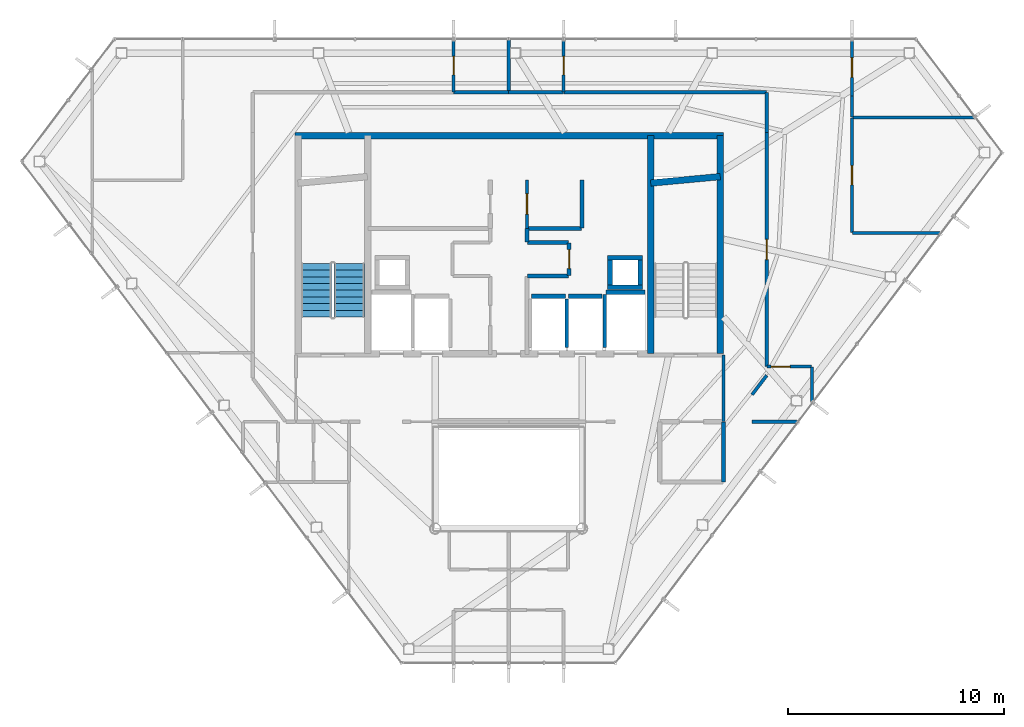
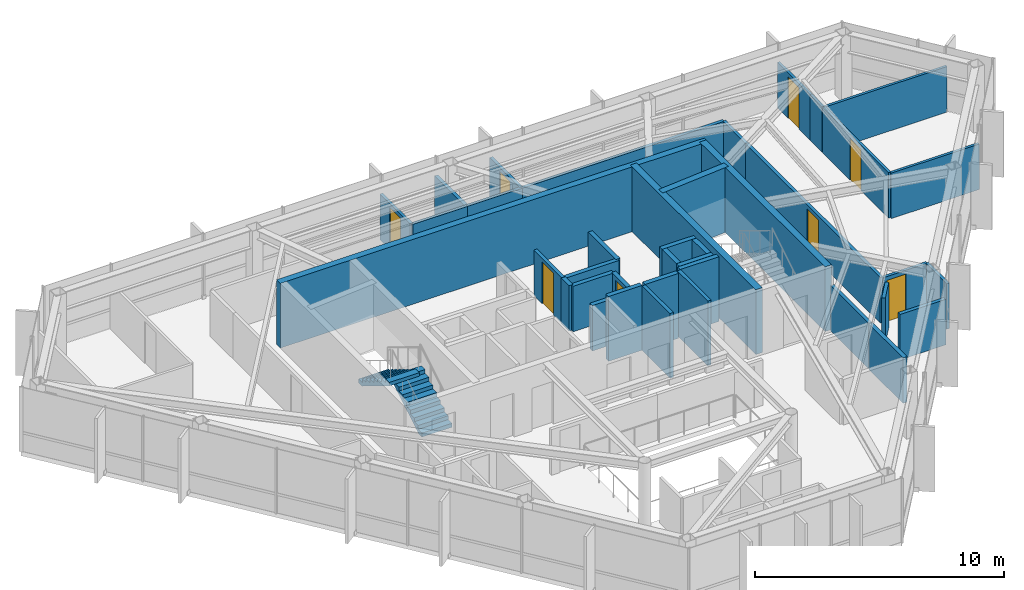
# One storey, part 24 of 26: 39 walls, 8 doors, 2 stair flights, 8 openings, 1 element without a shape of its own.
"""IFC4 building model written with IfcOpenShell, lengths in metres."""

from ifc_helpers import new_model, si_unit, direction, frame, frame_2d, origin, place, context, subcontext, project, spatial, polyline, rectangle, outline, extrude, material, layer, layer_set, type_object, element, fill, aggregate, save


model = new_model("IFC4")

# Units and contexts
model_context = context("Model", 3, precision=1e-05, world=origin(), true_north=direction((0.0, 1.0)))
body_context = subcontext(model_context, "Body", "Model", "MODEL_VIEW")
ifc_project = project(units=[si_unit("LENGTHUNIT", "METRE"), si_unit("AREAUNIT", "SQUARE_METRE"), si_unit("VOLUMEUNIT", "CUBIC_METRE"), si_unit("PLANEANGLEUNIT", "RADIAN"), si_unit("MASSUNIT", "GRAM", prefix="KILO")], contexts=[model_context])

# Site, building, storey
site_placement = place(None, origin())
site = spatial("IfcSite", under=ifc_project, at=site_placement, CompositionType="ELEMENT")
building_placement = place(site_placement, origin())
building = spatial("IfcBuilding", under=site, at=building_placement, Name="Zarrinselat Tower", CompositionType="ELEMENT")
storey_placement = place(building_placement, frame((0.0, 0.0, 258.39990234375)))
storey = spatial("IfcBuildingStorey", under=building, at=storey_placement, Name="L65", CompositionType="ELEMENT", Elevation=258.39990234375)

# Walls
ifc_material_1 = material(Name="Fire-Rated Gypsum Board Partition", Category="gypsum")
ifc_layer_1 = layer(ifc_material_1, 0.1650390625)
ifc_layer_set_1 = layer_set([ifc_layer_1], Name="Fire-Rated Gypsum Board Partition")
wall_type_1 = type_object("IfcWallType", Name="WAL-PART-DEMISE", PredefinedType="PARTITIONING", material=ifc_layer_set_1)
wall_1_placement = place(storey_placement, frame((49.67431640625, 30.14990234375, 0.0), z_axis=(0.0, 0.0, 1.0), x_axis=(1.0, 0.0, 0.0)))
element("IfcWall", 1, at=wall_1_placement, inside=storey, type_object=wall_type_1, Name="L65 Partition Wall 59", PredefinedType="PARTITIONING", context=body_context, shape_type="SweptSolid", body=[
    extrude(rectangle(XDim=2.122314453125, YDim=0.1650390625, at=frame_2d((1.06103515625, 0.0))), origin(), (0.0, 0.0, 1.0), 2.235107421875),
])
wall_2_placement = place(storey_placement, frame((38.39990234375, 45.4267578125, 0.0), z_axis=(0.0, 0.0, 1.0), x_axis=(0.0, 1.0, 0.0)))
element("IfcWall", 2, at=wall_2_placement, inside=storey, type_object=wall_type_1, Name="L65 Partition Wall 66", PredefinedType="PARTITIONING", context=body_context, shape_type="SweptSolid", body=[
    extrude(rectangle(XDim=2.425048828125, YDim=0.1650390625, at=frame_2d((1.21240234375, 0.0))), origin(), (0.0, 0.0, 1.0), 2.235107421875),
])
ifc_material_2 = material(Name="Concrete C40/50", Category="concrete")
ifc_layer_2 = layer(ifc_material_2, 0.18994140625)
ifc_layer_set_2 = layer_set([ifc_layer_2], Name="Concrete C40/50")
wall_type_2 = type_object("IfcWallType", Name="WAL-PART-EI120", PredefinedType="PARTITIONING", material=ifc_layer_set_2)
wall_3_placement = place(storey_placement, frame((48.35009765625, 27.3701171875, 0.0), z_axis=(0.0, 0.0, 1.0), x_axis=(0.0, 1.0, 0.0)))
element("IfcWall", 3, at=wall_3_placement, inside=storey, type_object=wall_type_2, Name="L65 Partition Wall 26", PredefinedType="PARTITIONING", context=body_context, shape_type="SweptSolid", body=[
    extrude(rectangle(XDim=2.759765625, YDim=0.18994140625, at=frame_2d((1.3798828125, 0.0))), origin(), (0.0, 0.0, 1.0), 2.235107421875),
])

# Wall, opening, door
ifc_material_3 = material(Name="Fire-Rated Gypsum Board Partition", Category="gypsum")
ifc_layer_3 = layer(ifc_material_3, 0.14990234375)
ifc_layer_set_3 = layer_set([ifc_layer_3], Name="Fire-Rated Gypsum Board Partition")
wall_type_3 = type_object("IfcWallType", Name="WAL-PART-EI60", PredefinedType="PARTITIONING", material=ifc_layer_set_3)
wall_4_placement = place(storey_placement, frame((39.25, 39.10498046875, 0.0), z_axis=(0.0, 0.0, 1.0), x_axis=(0.0, 1.0, 0.0)))
wall_4 = element("IfcWall", 4, at=wall_4_placement, inside=storey, type_object=wall_type_3, Name="L65 Partition Wall 12", PredefinedType="PARTITIONING", context=body_context, shape_type="SweptSolid", body=[
    extrude(rectangle(XDim=2.2451171875, YDim=0.14990234375, at=frame_2d((1.12255859375, 0.0))), origin(), (0.0, 0.0, 1.0), 2.235107421875),
])
opening_1_placement = place(wall_4_placement, frame((0.652587890625, 0.0, 0.0)))
opening_1 = element("IfcOpeningElement", 5, at=opening_1_placement, cuts=wall_4, Name="Opening ID-04", PredefinedType="OPENING", context=body_context, shape_type="SweptSolid", body=[
    extrude(rectangle(XDim=0.93994140625, YDim=2.050048828125, at=frame_2d((0.469970703125, 1.02490234375))), frame((0.0, 0.0849609375, 0.0), z_axis=(0.0, -1.0, 0.0), x_axis=(1.0, 0.0, 0.0)), (0.0, 0.0, 1.0), 0.169921875),
])
ifc_material_4 = material(Name="Fire-Rated Gypsum Board Partition")
door_type_1 = type_object("IfcDoorType", Name="DR-INT-FD30-ENT", OperationType="NOTDEFINED", PredefinedType="DOOR", material=ifc_material_4)
door_1_placement = place(opening_1_placement, origin())
door_1 = element("IfcDoor", 6, at=door_1_placement, inside=storey, type_object=door_type_1, Name="L65 Interior Door P12", OperationType="SINGLE_SWING_RIGHT", OverallHeight=2.050048828125, OverallWidth=0.93994140625, PredefinedType="DOOR", context=body_context, shape_type="SweptSolid", body=[
    extrude(rectangle(XDim=0.93994140625, YDim=2.050048828125, at=frame_2d((0.469970703125, 1.02490234375))), frame((0.0, 0.02490234375, 0.0), z_axis=(0.0, -1.0, 0.0), x_axis=(1.0, 0.0, 0.0)), (0.0, 0.0, 1.0), 0.050048828125),
])
fill(opening_1, door_1)

# Walls
wall_5_placement = place(storey_placement, frame((48.35009765625, 30.169921875, 0.0), z_axis=(0.0, 0.0, 1.0), x_axis=(0.0, 1.0, 0.0)))
element("IfcWall", 7, at=wall_5_placement, inside=storey, type_object=wall_type_3, Name="L65 Partition Wall 18", PredefinedType="PARTITIONING", context=body_context, shape_type="SweptSolid", body=[
    extrude(rectangle(XDim=3.06005859375, YDim=0.14990234375, at=frame_2d((1.530029296875, 0.0))), origin(), (0.0, 0.0, 1.0), 2.235107421875),
])
wall_6_placement = place(storey_placement, frame((35.85498046875, 45.40673828125, 0.0), z_axis=(0.0, 0.0, 1.0), x_axis=(1.0, 0.0, 0.0)))
element("IfcWall", 8, at=wall_6_placement, inside=storey, type_object=wall_type_3, Name="L65 Partition Wall 31", PredefinedType="PARTITIONING", context=body_context, shape_type="SweptSolid", body=[
    extrude(rectangle(XDim=2.5400390625, YDim=0.14990234375, at=frame_2d((1.27001953125, 0.0))), origin(), (0.0, 0.0, 1.0), 2.235107421875),
])
wall_7_placement = place(storey_placement, frame((40.955078125, 45.40673828125, 0.0), z_axis=(0.0, 0.0, 1.0), x_axis=(1.0, 0.0, 0.0)))
element("IfcWall", 9, at=wall_7_placement, inside=storey, type_object=wall_type_3, Name="L65 Partition Wall 34", PredefinedType="PARTITIONING", context=body_context, shape_type="SweptSolid", body=[
    extrude(rectangle(XDim=9.375, YDim=0.14990234375, at=frame_2d((4.6875, 0.0))), origin(), (0.0, 0.0, 1.0), 2.235107421875),
])
wall_8_placement = place(storey_placement, frame((50.35009765625, 43.550048828125, 0.0), z_axis=(0.0, 0.0, 1.0), x_axis=(0.0, 1.0, 0.0)))
element("IfcWall", 10, at=wall_8_placement, inside=storey, type_object=wall_type_3, Name="L65 Partition Wall 35", PredefinedType="PARTITIONING", context=body_context, shape_type="SweptSolid", body=[
    extrude(rectangle(XDim=1.836669921875, YDim=0.14990234375, at=frame_2d((0.91845703125, 0.0))), origin(), (0.0, 0.0, 1.0), 2.235107421875),
])

# Wall, opening, door
wall_9_placement = place(storey_placement, frame((50.35009765625, 32.705078125, 0.0), z_axis=(0.0, 0.0, 1.0), x_axis=(0.0, 1.0, 0.0)))
wall_9 = element("IfcWall", 11, at=wall_9_placement, inside=storey, type_object=wall_type_3, Name="L65 Partition Wall 36", PredefinedType="PARTITIONING", context=body_context, shape_type="SweptSolid", body=[
    extrude(rectangle(XDim=10.844970703125, YDim=0.14990234375, at=frame_2d((5.42236328125, 0.0))), origin(), (0.0, 0.0, 1.0), 2.235107421875),
])
opening_2_placement = place(wall_9_placement, frame((4.952392578125, 0.0, 0.0)))
opening_2 = element("IfcOpeningElement", 12, at=opening_2_placement, cuts=wall_9, Name="Opening ID-04", PredefinedType="OPENING", context=body_context, shape_type="SweptSolid", body=[
    extrude(rectangle(XDim=0.93994140625, YDim=2.050048828125, at=frame_2d((0.469970703125, 1.02490234375))), frame((0.0, 0.0849609375, 0.0), z_axis=(0.0, -1.0, 0.0), x_axis=(1.0, 0.0, 0.0)), (0.0, 0.0, 1.0), 0.169921875),
])
door_2_placement = place(opening_2_placement, origin())
door_2 = element("IfcDoor", 13, at=door_2_placement, inside=storey, type_object=door_type_1, Name="L65 Interior Door P36", OperationType="SINGLE_SWING_LEFT", OverallHeight=2.050048828125, OverallWidth=0.93994140625, PredefinedType="DOOR", context=body_context, shape_type="SweptSolid", body=[
    extrude(rectangle(XDim=0.93994140625, YDim=2.050048828125, at=frame_2d((0.469970703125, 1.02490234375))), frame((0.0, 0.02490234375, 0.0), z_axis=(0.0, -1.0, 0.0), x_axis=(1.0, 0.0, 0.0)), (0.0, 0.0, 1.0), 0.050048828125),
])
fill(opening_2, door_2)

# Walls
wall_10_placement = place(storey_placement, frame((49.67431640625, 31.402587890625, 0.0), z_axis=(0.0, 0.0, 1.0), x_axis=(0.603937499622, 0.797031678511, 0.0)))
element("IfcWall", 14, at=wall_10_placement, inside=storey, type_object=wall_type_3, Name="L65 Partition Wall 37", PredefinedType="PARTITIONING", context=body_context, shape_type="SweptSolid", body=[
    extrude(rectangle(XDim=1.118896484375, YDim=0.14990234375, at=frame_2d((0.5595703125, 0.0))), origin(), (0.0, 0.0, 1.0), 2.235107421875),
])
wall_11_placement = place(storey_placement, frame((38.405029296875, 45.40673828125, 0.0), z_axis=(0.0, 0.0, 1.0), x_axis=(1.0, 0.0, 0.0)))
element("IfcWall", 15, at=wall_11_placement, inside=storey, type_object=wall_type_3, Name="L65 Partition Wall 38", PredefinedType="PARTITIONING", context=body_context, shape_type="SweptSolid", body=[
    extrude(rectangle(XDim=2.5400390625, YDim=0.14990234375, at=frame_2d((1.27001953125, 0.0))), origin(), (0.0, 0.0, 1.0), 2.235107421875),
])
ifc_material_5 = material(Name="Concrete C40/50", Category="concrete")
ifc_layer_4 = layer(ifc_material_5, 0.199951171875)
ifc_layer_set_4 = layer_set([ifc_layer_4], Name="Concrete C40/50")
wall_type_4 = type_object("IfcWallType", Name="WAL-PART-PLANT", PredefinedType="PARTITIONING", material=ifc_layer_set_4)
wall_12_placement = place(storey_placement, frame((39.25, 38.469970703125, 0.0), z_axis=(0.0, 0.0, 1.0), x_axis=(0.0, 1.0, 0.0)))
element("IfcWall", 16, at=wall_12_placement, inside=storey, type_object=wall_type_4, Name="L65 Partition Wall 7", PredefinedType="PARTITIONING", context=body_context, shape_type="SweptSolid", body=[
    extrude(rectangle(XDim=0.625, YDim=0.199951171875, at=frame_2d((0.3125, 0.0))), origin(), (0.0, 0.0, 1.0), 2.235107421875),
])
wall_13_placement = place(storey_placement, frame((39.27001953125, 38.449951171875, 0.0), z_axis=(0.0, 0.0, 1.0), x_axis=(1.0, 0.0, 0.0)))
element("IfcWall", 17, at=wall_13_placement, inside=storey, type_object=wall_type_4, Name="L65 Partition Wall 8", PredefinedType="PARTITIONING", context=body_context, shape_type="SweptSolid", body=[
    extrude(rectangle(XDim=1.909912109375, YDim=0.199951171875, at=frame_2d((0.955078125, 0.0))), origin(), (0.0, 0.0, 1.0), 2.235107421875),
])

# Wall, opening, door
wall_14_placement = place(storey_placement, frame((41.199951171875, 36.919921875, 0.0), z_axis=(0.0, 0.0, 1.0), x_axis=(0.0, 1.0, 0.0)))
wall_14 = element("IfcWall", 18, at=wall_14_placement, inside=storey, type_object=wall_type_4, Name="L65 Partition Wall 9", PredefinedType="PARTITIONING", context=body_context, shape_type="SweptSolid", body=[
    extrude(rectangle(XDim=1.510009765625, YDim=0.199951171875, at=frame_2d((0.7548828125, 0.0))), origin(), (0.0, 0.0, 1.0), 2.235107421875),
])
opening_3_placement = place(wall_14_placement, frame((0.31494140625, 0.0, 0.0)))
opening_3 = element("IfcOpeningElement", 19, at=opening_3_placement, cuts=wall_14, Name="Opening ID-03", PredefinedType="OPENING", context=body_context, shape_type="SweptSolid", body=[
    extrude(rectangle(XDim=0.8798828125, YDim=2.050048828125, at=frame_2d((0.43994140625, 1.02490234375))), frame((0.0, 0.10986328125, 0.0), z_axis=(0.0, -1.0, 0.0), x_axis=(1.0, 0.0, 0.0)), (0.0, 0.0, 1.0), 0.219970703125),
])
ifc_material_6 = material(Name="Steel S355J2", Category="steel")
door_type_2 = type_object("IfcDoorType", Name="DR-INT-FD60-S", OperationType="NOTDEFINED", PredefinedType="DOOR", material=ifc_material_6)
door_3_placement = place(opening_3_placement, origin())
door_3 = element("IfcDoor", 20, at=door_3_placement, inside=storey, type_object=door_type_2, Name="L65 Interior Door P9", OperationType="SINGLE_SWING_LEFT", OverallHeight=2.050048828125, OverallWidth=0.8798828125, PredefinedType="DOOR", context=body_context, shape_type="SweptSolid", body=[
    extrude(rectangle(XDim=0.8798828125, YDim=2.050048828125, at=frame_2d((0.43994140625, 1.02490234375))), frame((0.0, 0.02490234375, 0.0), z_axis=(0.0, -1.0, 0.0), x_axis=(1.0, 0.0, 0.0)), (0.0, 0.0, 1.0), 0.050048828125),
])
fill(opening_3, door_3)

# Walls
wall_15_placement = place(storey_placement, frame((39.27001953125, 36.89990234375, 0.0), z_axis=(0.0, 0.0, 1.0), x_axis=(1.0, 0.0, 0.0)))
element("IfcWall", 21, at=wall_15_placement, inside=storey, type_object=wall_type_4, Name="L65 Partition Wall 10", PredefinedType="PARTITIONING", context=body_context, shape_type="SweptSolid", body=[
    extrude(rectangle(XDim=1.909912109375, YDim=0.199951171875, at=frame_2d((0.955078125, 0.0))), origin(), (0.0, 0.0, 1.0), 2.235107421875),
])
wall_16_placement = place(storey_placement, frame((39.27001953125, 39.10009765625, 0.0), z_axis=(0.0, 0.0, 1.0), x_axis=(1.0, 0.0, 0.0)))
element("IfcWall", 22, at=wall_16_placement, inside=storey, type_object=wall_type_4, Name="L65 Partition Wall 14", PredefinedType="PARTITIONING", context=body_context, shape_type="SweptSolid", body=[
    extrude(rectangle(XDim=2.510009765625, YDim=0.199951171875, at=frame_2d((1.2548828125, 0.0))), origin(), (0.0, 0.0, 1.0), 2.235107421875),
])
wall_17_placement = place(storey_placement, frame((41.800048828125, 39.1201171875, 0.0), z_axis=(0.0, 0.0, 1.0), x_axis=(0.0, 1.0, 0.0)))
element("IfcWall", 23, at=wall_17_placement, inside=storey, type_object=wall_type_4, Name="L65 Partition Wall 15", PredefinedType="PARTITIONING", context=body_context, shape_type="SweptSolid", body=[
    extrude(rectangle(XDim=2.22998046875, YDim=0.199951171875, at=frame_2d((1.114990234375, 0.0))), origin(), (0.0, 0.0, 1.0), 2.235107421875),
])

# Wall, opening, door
ifc_material_7 = material(Name="Fire-Rated Gypsum Board Partition", Category="gypsum")
ifc_layer_5 = layer(ifc_material_7, 0.1201171875)
ifc_layer_set_5 = layer_set([ifc_layer_5], Name="Fire-Rated Gypsum Board Partition")
wall_type_5 = type_object("IfcWallType", Name="WAL-PART-STD", PredefinedType="PARTITIONING", material=ifc_layer_set_5)
wall_18_placement = place(storey_placement, frame((54.301025390625, 45.23876953125, 0.0), z_axis=(0.0, 0.0, 1.0), x_axis=(0.0, 1.0, 0.0)))
wall_18 = element("IfcWall", 24, at=wall_18_placement, inside=storey, type_object=wall_type_5, Name="L65 Partition Wall 70", PredefinedType="PARTITIONING", context=body_context, shape_type="SweptSolid", body=[
    extrude(rectangle(XDim=2.613037109375, YDim=0.1201171875, at=frame_2d((1.306640625, 0.0))), origin(), (0.0, 0.0, 1.0), 2.235107421875),
])
opening_4_placement = place(wall_18_placement, frame((0.8564453125, 0.0, 0.0)))
opening_4 = element("IfcOpeningElement", 25, at=opening_4_placement, cuts=wall_18, Name="Opening ID-05", PredefinedType="OPENING", context=body_context, shape_type="SweptSolid", body=[
    extrude(rectangle(XDim=0.89990234375, YDim=2.050048828125, at=frame_2d((0.449951171875, 1.02490234375))), frame((0.0, 0.070068359375, 0.0), z_axis=(0.0, -1.0, 0.0), x_axis=(1.0, 0.0, 0.0)), (0.0, 0.0, 1.0), 0.14013671875),
])
ifc_material_8 = material(Name="Extruded Aluminium Alloy EN AW-6063 T6", Category="aluminium")
door_type_3 = type_object("IfcDoorType", Name="DR-INT-STD-920", OperationType="NOTDEFINED", PredefinedType="DOOR", material=ifc_material_8)
door_4_placement = place(opening_4_placement, origin())
door_4 = element("IfcDoor", 26, at=door_4_placement, inside=storey, type_object=door_type_3, Name="L65 Interior Door P70", OperationType="SINGLE_SWING_LEFT", OverallHeight=2.050048828125, OverallWidth=0.89990234375, PredefinedType="DOOR", context=body_context, shape_type="SweptSolid", body=[
    extrude(rectangle(XDim=0.89990234375, YDim=2.050048828125, at=frame_2d((0.449951171875, 1.02490234375))), frame((0.0, 0.02490234375, 0.0), z_axis=(0.0, -1.0, 0.0), x_axis=(1.0, 0.0, 0.0)), (0.0, 0.0, 1.0), 0.050048828125),
])
fill(opening_4, door_4)

# Wall
wall_19_placement = place(storey_placement, frame((54.301025390625, 44.2587890625, 0.0), z_axis=(0.0, 0.0, 1.0), x_axis=(0.0, 1.0, 0.0)))
element("IfcWall", 27, at=wall_19_placement, inside=storey, type_object=wall_type_5, Name="L65 Partition Wall 71", PredefinedType="PARTITIONING", context=body_context, shape_type="SweptSolid", body=[
    extrude(rectangle(XDim=0.97998046875, YDim=0.1201171875, at=frame_2d((0.489990234375, 0.0))), origin(), (0.0, 0.0, 1.0), 2.235107421875),
])

# Wall, opening, door
wall_20_placement = place(storey_placement, frame((54.301025390625, 38.906982421875, 0.0), z_axis=(0.0, 0.0, 1.0), x_axis=(0.0, 1.0, 0.0)))
wall_20 = element("IfcWall", 28, at=wall_20_placement, inside=storey, type_object=wall_type_5, Name="L65 Partition Wall 72", PredefinedType="PARTITIONING", context=body_context, shape_type="SweptSolid", body=[
    extrude(rectangle(XDim=5.311767578125, YDim=0.1201171875, at=frame_2d((2.65576171875, 0.0))), origin(), (0.0, 0.0, 1.0), 2.235107421875),
])
opening_5_placement = place(wall_20_placement, frame((2.205810546875, 0.0, 0.0)))
opening_5 = element("IfcOpeningElement", 29, at=opening_5_placement, cuts=wall_20, Name="Opening ID-05", PredefinedType="OPENING", context=body_context, shape_type="SweptSolid", body=[
    extrude(rectangle(XDim=0.89990234375, YDim=2.050048828125, at=frame_2d((0.449951171875, 1.02490234375))), frame((0.0, 0.070068359375, 0.0), z_axis=(0.0, -1.0, 0.0), x_axis=(1.0, 0.0, 0.0)), (0.0, 0.0, 1.0), 0.14013671875),
])
door_5_placement = place(opening_5_placement, origin())
door_5 = element("IfcDoor", 30, at=door_5_placement, inside=storey, type_object=door_type_3, Name="L65 Interior Door P72", OperationType="SINGLE_SWING_RIGHT", OverallHeight=2.050048828125, OverallWidth=0.89990234375, PredefinedType="DOOR", context=body_context, shape_type="SweptSolid", body=[
    extrude(rectangle(XDim=0.89990234375, YDim=2.050048828125, at=frame_2d((0.449951171875, 1.02490234375))), frame((0.0, 0.02490234375, 0.0), z_axis=(0.0, -1.0, 0.0), x_axis=(1.0, 0.0, 0.0)), (0.0, 0.0, 1.0), 0.050048828125),
])
fill(opening_5, door_5)

# Walls
wall_21_placement = place(storey_placement, frame((54.321044921875, 38.88720703125, 0.0), z_axis=(0.0, 0.0, 1.0), x_axis=(1.0, 0.0, 0.0)))
element("IfcWall", 31, at=wall_21_placement, inside=storey, type_object=wall_type_5, Name="L65 Partition Wall 73", PredefinedType="PARTITIONING", context=body_context, shape_type="SweptSolid", body=[
    extrude(rectangle(XDim=4.0947265625, YDim=0.1201171875, at=frame_2d((2.04736328125, 0.0))), origin(), (0.0, 0.0, 1.0), 2.235107421875),
])
wall_22_placement = place(storey_placement, frame((54.321044921875, 44.23876953125, 0.0), z_axis=(0.0, 0.0, 1.0), x_axis=(1.0, 0.0, 0.0)))
element("IfcWall", 32, at=wall_22_placement, inside=storey, type_object=wall_type_5, Name="L65 Partition Wall 74", PredefinedType="PARTITIONING", context=body_context, shape_type="SweptSolid", body=[
    extrude(rectangle(XDim=5.68701171875, YDim=0.1201171875, at=frame_2d((2.843505859375, 0.0))), origin(), (0.0, 0.0, 1.0), 2.235107421875),
])

# Wall, opening, door
ifc_material_9 = material(Name="Fire-Rated Gypsum Board Partition", Category="gypsum")
ifc_layer_6 = layer(ifc_material_9, 0.135009765625)
ifc_layer_set_6 = layer_set([ifc_layer_6], Name="Fire-Rated Gypsum Board Partition")
wall_type_6 = type_object("IfcWallType", Name="WAL-PART-WET", PredefinedType="PARTITIONING", material=ifc_layer_set_6)
wall_23_placement = place(storey_placement, frame((35.85009765625, 45.4267578125, 0.0), z_axis=(0.0, 0.0, 1.0), x_axis=(0.0, 1.0, 0.0)))
wall_23 = element("IfcWall", 33, at=wall_23_placement, inside=storey, type_object=wall_type_6, Name="L65 Partition Wall 61", PredefinedType="PARTITIONING", context=body_context, shape_type="SweptSolid", body=[
    extrude(rectangle(XDim=2.425048828125, YDim=0.135009765625, at=frame_2d((1.21240234375, 0.0))), origin(), (0.0, 0.0, 1.0), 2.235107421875),
])
opening_6_placement = place(wall_23_placement, frame((0.782470703125, 0.0, 0.0)))
opening_6 = element("IfcOpeningElement", 34, at=opening_6_placement, cuts=wall_23, Name="Opening ID-06", PredefinedType="OPENING", context=body_context, shape_type="SweptSolid", body=[
    extrude(rectangle(XDim=0.860107421875, YDim=2.050048828125, at=frame_2d((0.43017578125, 1.02490234375))), frame((0.0, 0.077392578125, 0.0), z_axis=(0.0, -1.0, 0.0), x_axis=(1.0, 0.0, 0.0)), (0.0, 0.0, 1.0), 0.155029296875),
])
ifc_material_10 = material(Name="Extruded Aluminium Alloy EN AW-6063 T6", Category="aluminium")
door_type_4 = type_object("IfcDoorType", Name="DR-INT-WET-900", OperationType="NOTDEFINED", PredefinedType="DOOR", material=ifc_material_10)
door_6_placement = place(opening_6_placement, origin())
door_6 = element("IfcDoor", 35, at=door_6_placement, inside=storey, type_object=door_type_4, Name="L65 Interior Door P61", OperationType="SINGLE_SWING_RIGHT", OverallHeight=2.050048828125, OverallWidth=0.860107421875, PredefinedType="DOOR", context=body_context, shape_type="SweptSolid", body=[
    extrude(rectangle(XDim=0.860107421875, YDim=2.050048828125, at=frame_2d((0.43017578125, 1.02490234375))), frame((0.0, 0.02490234375, 0.0), z_axis=(0.0, -1.0, 0.0), x_axis=(1.0, 0.0, 0.0)), (0.0, 0.0, 1.0), 0.050048828125),
])
fill(opening_6, door_6)

# Wall
wall_24_placement = place(storey_placement, frame((52.439453125, 30.99365234375, 0.0), z_axis=(0.0, 0.0, 1.0), x_axis=(0.0, 1.0, 0.0)))
element("IfcWall", 36, at=wall_24_placement, inside=storey, type_object=wall_type_6, Name="L65 Partition Wall 67", PredefinedType="PARTITIONING", context=body_context, shape_type="SweptSolid", body=[
    extrude(rectangle(XDim=1.686279296875, YDim=0.135009765625, at=frame_2d((0.84326171875, 0.0))), origin(), (0.0, 0.0, 1.0), 2.235107421875),
])

# Wall, opening, door
wall_25_placement = place(storey_placement, frame((50.3701171875, 32.699951171875, 0.0), z_axis=(0.0, 0.0, 1.0), x_axis=(1.0, 0.0, 0.0)))
wall_25 = element("IfcWall", 37, at=wall_25_placement, inside=storey, type_object=wall_type_6, Name="L65 Partition Wall 68", PredefinedType="PARTITIONING", context=body_context, shape_type="SweptSolid", body=[
    extrude(rectangle(XDim=2.04931640625, YDim=0.135009765625, at=frame_2d((1.024658203125, 0.0))), origin(), (0.0, 0.0, 1.0), 2.235107421875),
])
opening_7_placement = place(wall_25_placement, frame((0.179931640625, 0.0, 0.0)))
opening_7 = element("IfcOpeningElement", 38, at=opening_7_placement, cuts=wall_25, Name="Opening ID-03", PredefinedType="OPENING", context=body_context, shape_type="SweptSolid", body=[
    extrude(rectangle(XDim=0.8798828125, YDim=2.050048828125, at=frame_2d((0.43994140625, 1.02490234375))), frame((0.0, 0.077392578125, 0.0), z_axis=(0.0, -1.0, 0.0), x_axis=(1.0, 0.0, 0.0)), (0.0, 0.0, 1.0), 0.155029296875),
])
door_7_placement = place(opening_7_placement, origin())
door_7 = element("IfcDoor", 39, at=door_7_placement, inside=storey, type_object=door_type_2, Name="L65 Interior Door P68", OperationType="SINGLE_SWING_LEFT", OverallHeight=2.050048828125, OverallWidth=0.8798828125, PredefinedType="DOOR", context=body_context, shape_type="SweptSolid", body=[
    extrude(rectangle(XDim=0.8798828125, YDim=2.050048828125, at=frame_2d((0.43994140625, 1.02490234375))), frame((0.0, 0.02490234375, 0.0), z_axis=(0.0, -1.0, 0.0), x_axis=(1.0, 0.0, 0.0)), (0.0, 0.0, 1.0), 0.050048828125),
])
fill(opening_7, door_7)

wall_26_placement = place(storey_placement, frame((40.949951171875, 45.4267578125, 0.0), z_axis=(0.0, 0.0, 1.0), x_axis=(0.0, 1.0, 0.0)))
wall_26 = element("IfcWall", 40, at=wall_26_placement, inside=storey, type_object=wall_type_6, Name="L65 Partition Wall 69", PredefinedType="PARTITIONING", context=body_context, shape_type="SweptSolid", body=[
    extrude(rectangle(XDim=2.425048828125, YDim=0.135009765625, at=frame_2d((1.21240234375, 0.0))), origin(), (0.0, 0.0, 1.0), 2.235107421875),
])
opening_8_placement = place(wall_26_placement, frame((0.782470703125, 0.0, 0.0)))
opening_8 = element("IfcOpeningElement", 41, at=opening_8_placement, cuts=wall_26, Name="Opening ID-06", PredefinedType="OPENING", context=body_context, shape_type="SweptSolid", body=[
    extrude(rectangle(XDim=0.860107421875, YDim=2.050048828125, at=frame_2d((0.43017578125, 1.02490234375))), frame((0.0, 0.077392578125, 0.0), z_axis=(0.0, -1.0, 0.0), x_axis=(1.0, 0.0, 0.0)), (0.0, 0.0, 1.0), 0.155029296875),
])
door_8_placement = place(opening_8_placement, origin())
door_8 = element("IfcDoor", 42, at=door_8_placement, inside=storey, type_object=door_type_4, Name="L65 Interior Door P69", OperationType="SINGLE_SWING_RIGHT", OverallHeight=2.050048828125, OverallWidth=0.860107421875, PredefinedType="DOOR", context=body_context, shape_type="SweptSolid", body=[
    extrude(rectangle(XDim=0.860107421875, YDim=2.050048828125, at=frame_2d((0.43017578125, 1.02490234375))), frame((0.0, 0.02490234375, 0.0), z_axis=(0.0, -1.0, 0.0), x_axis=(1.0, 0.0, 0.0)), (0.0, 0.0, 1.0), 0.050048828125),
])
fill(opening_8, door_8)

# Walls
ifc_material_11 = material(Name="Concrete C40/50", Category="concrete")
ifc_layer_7 = layer(ifc_material_11, 0.2099609375)
ifc_layer_set_7 = layer_set([ifc_layer_7], Name="Concrete C40/50")
wall_type_7 = type_object("IfcWallType", Name="WAL-SHAFT-210", PredefinedType="SOLIDWALL", material=ifc_layer_set_7)
wall_27_placement = place(storey_placement, frame((42.919921875, 36.155029296875, 0.0), z_axis=(0.0, 0.0, 1.0), x_axis=(1.0, 0.0, 0.0)))
element("IfcWall", 43, at=wall_27_placement, inside=storey, type_object=wall_type_7, Name="L65 Lift FFL2 North Shaft Wall", PredefinedType="SOLIDWALL", context=body_context, shape_type="SweptSolid", body=[
    extrude(rectangle(XDim=1.800048828125, YDim=0.2099609375, at=frame_2d((0.89990234375, 0.0))), origin(), (0.0, 0.0, 1.0), 3.18017578125),
])
wall_28_placement = place(storey_placement, frame((42.85009765625, 33.580078125, 0.0), z_axis=(0.0, 0.0, 1.0), x_axis=(0.0, 1.0, 0.0)))
element("IfcWall", 44, at=wall_28_placement, inside=storey, type_object=wall_type_7, Name="L65 Lift FFL2 W Shaft Wall", PredefinedType="SOLIDWALL", context=body_context, shape_type="SweptSolid", body=[
    extrude(rectangle(XDim=2.449951171875, YDim=0.159912109375, at=frame_2d((1.22509765625, 0.0))), origin(), (0.0, 0.0, 1.0), 3.18017578125),
])
wall_29_placement = place(storey_placement, frame((39.469970703125, 35.955078125, 0.0), z_axis=(0.0, 0.0, 1.0), x_axis=(1.0, 0.0, 0.0)))
element("IfcWall", 45, at=wall_29_placement, inside=storey, type_object=wall_type_7, Name="L65 Lift PL8 North Shaft Wall", PredefinedType="SOLIDWALL", context=body_context, shape_type="SweptSolid", body=[
    extrude(rectangle(XDim=1.56005859375, YDim=0.2099609375, at=frame_2d((0.780029296875, 0.0))), origin(), (0.0, 0.0, 1.0), 3.18017578125),
])
wall_30_placement = place(storey_placement, frame((41.10009765625, 33.580078125, 0.0), z_axis=(0.0, 0.0, 1.0), x_axis=(0.0, 1.0, 0.0)))
element("IfcWall", 46, at=wall_30_placement, inside=storey, type_object=wall_type_7, Name="L65 Lift PL8 E Shaft Wall", PredefinedType="SOLIDWALL", context=body_context, shape_type="SweptSolid", body=[
    extrude(rectangle(XDim=2.25, YDim=0.159912109375, at=frame_2d((1.125, 0.0))), origin(), (0.0, 0.0, 1.0), 3.18017578125),
])
wall_31_placement = place(storey_placement, frame((41.169921875, 35.955078125, 0.0), z_axis=(0.0, 0.0, 1.0), x_axis=(1.0, 0.0, 0.0)))
element("IfcWall", 47, at=wall_31_placement, inside=storey, type_object=wall_type_7, Name="L65 Lift PL9 North Shaft Wall", PredefinedType="SOLIDWALL", context=body_context, shape_type="SweptSolid", body=[
    extrude(rectangle(XDim=1.56005859375, YDim=0.2099609375, at=frame_2d((0.780029296875, 0.0))), origin(), (0.0, 0.0, 1.0), 3.18017578125),
])
for number, where, z_axis, x_axis, name in (
    (48, (42.989990234375, 36.375, 0.0), (0.0, 0.0, 1.0), (1.0, 0.0, 0.0), "L65 Core Riser RSR-E S Shaft Wall"),
    (49, (42.989990234375, 37.7451171875, 0.0), (0.0, 0.0, 1.0), (1.0, 0.0, 0.0), "L65 Core Riser RSR-E N Shaft Wall"),
):
    element("IfcWall", number, at=place(storey_placement, frame(where, z_axis=z_axis, x_axis=x_axis)), inside=storey, type_object=wall_type_7, Name=name, PredefinedType="SOLIDWALL", context=body_context, shape_type="SweptSolid", body=[
        extrude(rectangle(XDim=1.60009765625, YDim=0.2099609375, at=frame_2d((0.800048828125, 0.0))), origin(), (0.0, 0.0, 1.0), 3.18017578125),
    ])
for number, where, z_axis, x_axis, name in (
    (50, (43.094970703125, 36.485107421875, 0.0), (0.0, 0.0, 1.0), (0.0, 1.0, 0.0), "L65 Core Riser RSR-E W Shaft Wall"),
    (51, (44.485107421875, 36.485107421875, 0.0), (0.0, 0.0, 1.0), (0.0, 1.0, 0.0), "L65 Core Riser RSR-E E Shaft Wall"),
):
    element("IfcWall", number, at=place(storey_placement, frame(where, z_axis=z_axis, x_axis=x_axis)), inside=storey, type_object=wall_type_7, Name=name, PredefinedType="SOLIDWALL", context=body_context, shape_type="SweptSolid", body=[
        extrude(rectangle(XDim=1.14990234375, YDim=0.2099609375, at=frame_2d((0.574951171875, 0.0))), origin(), (0.0, 0.0, 1.0), 3.18017578125),
    ])
ifc_material_12 = material(Name="Concrete C40/50", Category="concrete")
ifc_layer_8 = layer(ifc_material_12, 0.300048828125)
ifc_layer_set_8 = layer_set([ifc_layer_8], Name="Concrete C40/50")
wall_type_8 = type_object("IfcWallType", Name="WAL-SHEAR-300", PredefinedType="SHEAR", material=ifc_layer_set_8)
wall_32_placement = place(storey_placement, frame((28.5, 43.39990234375, 0.0), z_axis=(0.0, 0.0, 1.0), x_axis=(1.0, 0.0, 0.0)))
element("IfcWall", 52, at=wall_32_placement, inside=storey, type_object=wall_type_8, Name="L65 North Core Shear Wall", PredefinedType="SHEAR", context=body_context, shape_type="SweptSolid", body=[
    extrude(rectangle(XDim=19.860107421875, YDim=0.300048828125, at=frame_2d((9.93017578125, 0.0))), origin(), (0.0, 0.0, 1.0), 3.18017578125),
])
for number, where, z_axis, x_axis, name in (
    (53, (44.989990234375, 33.300048828125, 0.0), (0.0, 0.0, 1.0), (0.0, 1.0, 0.0), "L65 Core Shear Wall ST2W"),
    (54, (48.2099609375, 33.300048828125, 0.0), (0.0, 0.0, 1.0), (0.0, 1.0, 0.0), "L65 Core Shear Wall E"),
):
    element("IfcWall", number, at=place(storey_placement, frame(where, z_axis=z_axis, x_axis=x_axis)), inside=storey, type_object=wall_type_8, Name=name, PredefinedType="SHEAR", context=body_context, shape_type="SweptSolid", body=[
        extrude(rectangle(XDim=10.099853515625, YDim=0.300048828125, at=frame_2d((5.0498046875, 0.0))), origin(), (0.0, 0.0, 1.0), 3.18017578125),
    ])
wall_33_placement = place(storey_placement, frame((44.97998046875, 41.199951171875, 0.0), z_axis=(0.0, 0.0, 1.0), x_axis=(0.995686468965, 0.09278176286, 0.0)))
element("IfcWall", 55, at=wall_33_placement, inside=storey, type_object=wall_type_8, Name="L65 Stair 2 North Shaft Wall", PredefinedType="SHEAR", context=body_context, shape_type="SweptSolid", body=[
    extrude(rectangle(XDim=3.23388671875, YDim=0.300048828125, at=frame_2d((1.616943359375, 0.0))), origin(), (0.0, 0.0, 1.0), 3.18017578125),
])

# Stair, stair flights
ifc_material_13 = material(Name="Concrete C40/50", Category="concrete")
stair_type = type_object("IfcStairType", Name="STR-CORE-155", PredefinedType="HALF_TURN_STAIR", material=ifc_material_13)
stair_placement = place(storey_placement, origin())
stair = element("IfcStair", 56, at=stair_placement, inside=storey, type_object=stair_type, Name="L65 Core Exit Stair 1", PredefinedType="HALF_TURN_STAIR")
ifc_material_14 = material(Name="Concrete C40/50", Category="concrete")
stair_flight_type = type_object("IfcStairFlightType", Name="STR-FLT-155", PredefinedType="STRAIGHT", material=ifc_material_14)
stair_flight_1_placement = place(storey_placement, frame((31.02001953125, 35.0, 0.0), z_axis=(0.0, 0.0, 1.0), x_axis=(0.0, 1.0, 0.0)))
stair_flight_1 = element("IfcStairFlight", 57, at=stair_flight_1_placement, type_object=stair_flight_type, Name="ST-1 flight 1", NumberOfRisers=9, NumberOfTreads=8, PredefinedType="STRAIGHT", RiserHeight=0.188888889, TreadLength=0.31, context=body_context, shape_type="SweptSolid", body=[
    extrude(outline(polyline([(0.0, 0.0), (0.0, 0.18896484375), (0.31005859375, 0.18896484375), (0.31005859375, 0.377685546875), (0.6201171875, 0.377685546875), (0.6201171875, 0.566650390625), (0.929931640625, 0.566650390625), (0.929931640625, 0.755615234375), (1.239990234375, 0.755615234375), (1.239990234375, 0.9443359375), (1.550048828125, 0.9443359375), (1.550048828125, 1.13330078125), (1.860107421875, 1.13330078125), (1.860107421875, 1.322265625), (2.169921875, 1.322265625), (2.169921875, 1.51123046875), (2.47998046875, 1.51123046875), (2.47998046875, 1.699951171875), (2.47998046875, 1.335693359375), (0.2880859375, 0.0), (0.0, 0.0)])), frame((0.0, 0.699951171875, 0.0), z_axis=(0.0, -1.0, 0.0), x_axis=(1.0, 0.0, 0.0)), (0.0, 0.0, 1.0), 1.39990234375),
])
stair_flight_2_placement = place(storey_placement, frame((29.5, 37.47998046875, 1.7001953125), z_axis=(0.0, 0.0, 1.0), x_axis=(0.0, -1.0, 0.0)))
stair_flight_2 = element("IfcStairFlight", 58, at=stair_flight_2_placement, type_object=stair_flight_type, Name="ST-1 flight 2", NumberOfRisers=9, NumberOfTreads=8, PredefinedType="STRAIGHT", RiserHeight=0.188888889, TreadLength=0.31, context=body_context, shape_type="SweptSolid", body=[
    extrude(outline(polyline([(0.0, 0.0), (0.0, 0.18896484375), (0.31005859375, 0.18896484375), (0.31005859375, 0.377685546875), (0.6201171875, 0.377685546875), (0.6201171875, 0.566650390625), (0.929931640625, 0.566650390625), (0.929931640625, 0.755615234375), (1.239990234375, 0.755615234375), (1.239990234375, 0.9443359375), (1.550048828125, 0.9443359375), (1.550048828125, 1.13330078125), (1.860107421875, 1.13330078125), (1.860107421875, 1.322265625), (2.169921875, 1.322265625), (2.169921875, 1.51123046875), (2.47998046875, 1.51123046875), (2.47998046875, 1.699951171875), (2.47998046875, 1.335693359375), (0.2880859375, 0.0), (0.0, 0.0)])), frame((0.0, 0.699951171875, 0.0), z_axis=(0.0, -1.0, 0.0), x_axis=(1.0, 0.0, 0.0)), (0.0, 0.0, 1.0), 1.39990234375),
])
aggregate(stair, [stair_flight_1, stair_flight_2])

save(model, "model.ifc")
